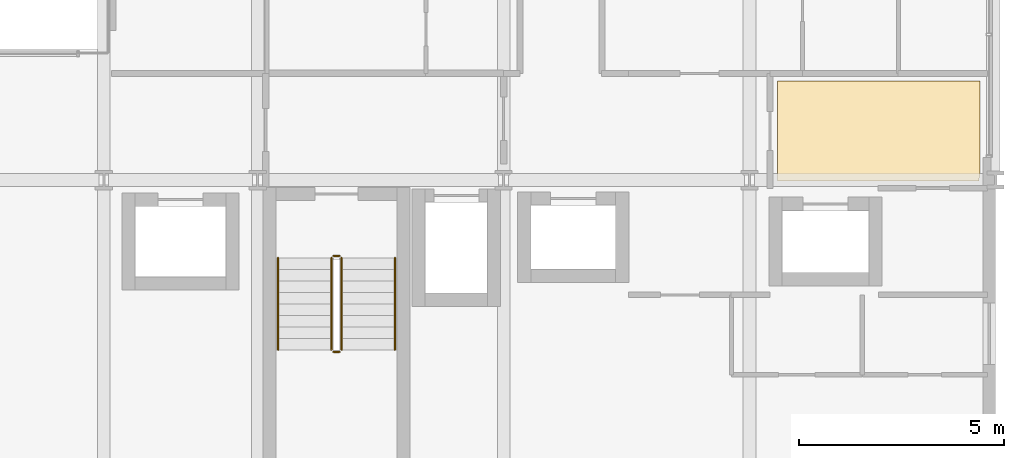
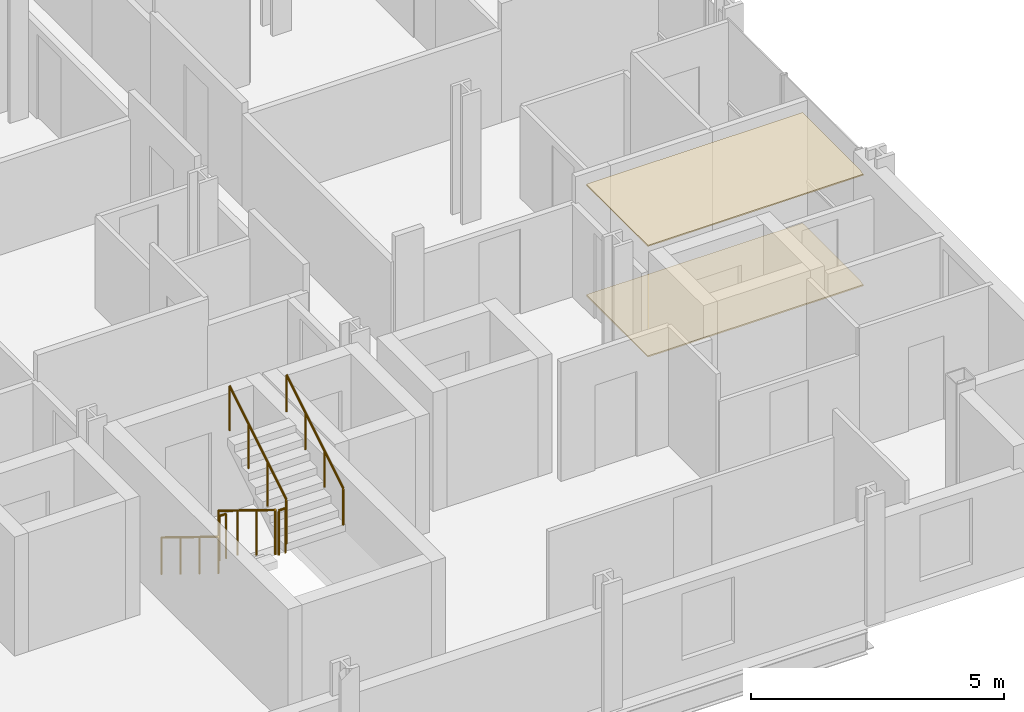
# One storey, part 40 of 41: 6 railings, 2 coverings.
"""IFC4 building model written with IfcOpenShell, lengths in metres."""

from ifc_helpers import new_model, si_unit, direction, frame, origin, origin_2d, place, context, subcontext, project, spatial, polyline, circle, outline, extrude, material, layer, layer_set, type_object, element, save


model = new_model("IFC4")

# Units and contexts
model_context = context("Model", 3, precision=1e-05, world=origin(), true_north=direction((0.0, 1.0)))
body_context = subcontext(model_context, "Body", "Model", "MODEL_VIEW")
ifc_project = project(units=[si_unit("LENGTHUNIT", "METRE"), si_unit("AREAUNIT", "SQUARE_METRE"), si_unit("VOLUMEUNIT", "CUBIC_METRE"), si_unit("PLANEANGLEUNIT", "RADIAN"), si_unit("MASSUNIT", "GRAM", prefix="KILO")], contexts=[model_context])

# Site, building, storey
site_placement = place(None, origin())
site = spatial("IfcSite", under=ifc_project, at=site_placement, CompositionType="ELEMENT")
building_placement = place(site_placement, origin())
building = spatial("IfcBuilding", under=site, at=building_placement, Name="Brevholm Reach", CompositionType="ELEMENT")
storey_placement = place(building_placement, frame((0.0, 0.0, 49.699951171875)))
storey = spatial("IfcBuildingStorey", under=building, at=storey_placement, Name="L13", CompositionType="ELEMENT", Elevation=49.699951171875)

# Coverings
ifc_material_1 = material(Name="Moisture-Resistant Skimmed Gypsum Plasterboard Ceiling", Category="gypsum")
ifc_layer_1 = layer(ifc_material_1, 0.030029296875)
ifc_layer_set_1 = layer_set([ifc_layer_1], Name="Moisture-Resistant Skimmed Gypsum Plasterboard Ceiling")
covering_type_1 = type_object("IfcCoveringType", Name="COV-CLG-GYP", PredefinedType="CEILING", material=ifc_layer_set_1)
covering_1_placement = place(storey_placement, frame((0.0, 0.0, 2.670166015625)))
element("IfcCovering", 1, at=covering_1_placement, inside=storey, type_object=covering_type_1, Name="L13 Suspended Ceiling L13-30", PredefinedType="CEILING", context=body_context, shape_type="SweptSolid", body=[
    extrude(outline(polyline([(59.6201171875, 12.419921875), (59.6201171875, 10.123779296875), (59.6171875, 10.1162109375), (59.607666015625, 10.077880859375), (59.601806640625, 10.039306640625), (59.60009765625, 10.0), (59.60107421875, 9.97998046875), (54.68408203125, 9.97998046875), (54.68408203125, 12.419921875), (59.6201171875, 12.419921875)])), origin(), (0.0, 0.0, 1.0), 0.02978515625),
])
ifc_material_2 = material(Name="Honed Portland-Aggregate Resin Terrazzo Flooring", Category="concrete")
ifc_layer_2 = layer(ifc_material_2, 0.031982421875)
ifc_layer_set_2 = layer_set([ifc_layer_2], Name="Honed Portland-Aggregate Resin Terrazzo Flooring")
covering_type_2 = type_object("IfcCoveringType", Name="COV-FLR-TRZ", PredefinedType="FLOORING", material=ifc_layer_set_2)
covering_2_placement = place(storey_placement, origin())
element("IfcCovering", 2, at=covering_2_placement, inside=storey, type_object=covering_type_2, Name="L13 Floor Finish L13-30", PredefinedType="FLOORING", context=body_context, shape_type="SweptSolid", body=[
    extrude(outline(polyline([(59.6201171875, 12.419921875), (59.6201171875, 10.123779296875), (59.6171875, 10.1162109375), (59.607666015625, 10.077880859375), (59.601806640625, 10.039306640625), (59.60009765625, 10.0), (59.60107421875, 9.97998046875), (54.68408203125, 9.97998046875), (54.68408203125, 12.419921875), (59.6201171875, 12.419921875)])), origin(), (0.0, 0.0, 1.0), 0.031982421875),
])

# Railings
ifc_material_3 = material(Name="Brushed Stainless Steel EN 1.4401 Continuous Handrail", Category="steel")
railing_type_1 = type_object("IfcRailingType", Name="RAL-HND-950", PredefinedType="HANDRAIL", material=ifc_material_3)
railing_1_placement = place(storey_placement, frame((42.5, 8.10009765625, 0.17236328125)))
element("IfcRailing", 3, at=railing_1_placement, inside=storey, type_object=railing_type_1, Name="L13 ST-2 stair handrail 1", PredefinedType="HANDRAIL", context=body_context, shape_type="SweptSolid", body=[
    extrude(circle(Radius=0.02392578125, at=origin_2d()), frame((0.0, 0.0, 0.8857421875), z_axis=(0.0, -0.85178898068, 0.523885037382), x_axis=(1.0, 0.0, 0.0)), (0.0, 0.0, 1.0), 2.629638671875),
    extrude(circle(Radius=0.02099609375, at=origin_2d()), origin(), (0.0, 0.0, 1.0), 0.86181640625),
    extrude(circle(Radius=0.02099609375, at=origin_2d()), frame((0.0, -0.74658203125, 0.459228515625)), (0.0, 0.0, 1.0), 0.86181640625),
    extrude(circle(Radius=0.02099609375, at=origin_2d()), frame((0.0, -1.493408203125, 0.91845703125)), (0.0, 0.0, 1.0), 0.86181640625),
    extrude(circle(Radius=0.02099609375, at=origin_2d()), frame((0.0, -2.239990234375, 1.377685546875)), (0.0, 0.0, 1.0), 0.86181640625),
])
railing_2_placement = place(storey_placement, frame((45.35009765625, 5.860107421875, 1.72216796875)))
element("IfcRailing", 4, at=railing_2_placement, inside=storey, type_object=railing_type_1, Name="L13 ST-2 stair handrail 2", PredefinedType="HANDRAIL", context=body_context, shape_type="SweptSolid", body=[
    extrude(circle(Radius=0.02392578125, at=origin_2d()), frame((0.0, 0.0, 0.8857421875), z_axis=(0.0, 0.851747552033, 0.523952390591), x_axis=(-1.0, 0.0, 0.0)), (0.0, 0.0, 1.0), 2.6298828125),
    extrude(circle(Radius=0.02099609375, at=origin_2d()), origin(), (0.0, 0.0, 1.0), 0.86181640625),
    extrude(circle(Radius=0.02099609375, at=origin_2d()), frame((0.0, 0.74658203125, 0.459228515625)), (0.0, 0.0, 1.0), 0.86181640625),
    extrude(circle(Radius=0.02099609375, at=origin_2d()), frame((0.0, 1.493408203125, 0.918701171875)), (0.0, 0.0, 1.0), 0.86181640625),
    extrude(circle(Radius=0.02099609375, at=origin_2d()), frame((0.0, 2.239990234375, 1.3779296875)), (0.0, 0.0, 1.0), 0.86181640625),
])
ifc_material_4 = material(Name="Painted Tubular Galvanised Steel S275JR Stair Guard", Category="steel")
railing_type_2 = type_object("IfcRailingType", Name="RAL-STG-1120", PredefinedType="BALUSTRADE", material=ifc_material_4)
railing_3_placement = place(storey_placement, frame((43.800048828125, 8.10009765625, 0.17236328125)))
element("IfcRailing", 5, at=railing_3_placement, inside=storey, type_object=railing_type_2, Name="L13 ST-2 stair guard 1", PredefinedType="BALUSTRADE", context=body_context, shape_type="SweptSolid", body=[
    extrude(circle(Radius=0.02392578125, at=origin_2d()), frame((0.0, 0.0, 1.076171875), z_axis=(0.0, -0.85178898068, 0.523885037382), x_axis=(1.0, 0.0, 0.0)), (0.0, 0.0, 1.0), 2.629638671875),
    extrude(circle(Radius=0.02099609375, at=origin_2d()), origin(), (0.0, 0.0, 1.0), 1.052001953125),
    extrude(circle(Radius=0.02099609375, at=origin_2d()), frame((0.0, -0.74658203125, 0.459228515625)), (0.0, 0.0, 1.0), 1.052001953125),
    extrude(circle(Radius=0.02099609375, at=origin_2d()), frame((0.0, -1.493408203125, 0.91845703125)), (0.0, 0.0, 1.0), 1.052001953125),
    extrude(circle(Radius=0.02099609375, at=origin_2d()), frame((0.0, -2.239990234375, 1.377685546875)), (0.0, 0.0, 1.0), 1.052001953125),
])
railing_4_placement = place(storey_placement, frame((43.85009765625, 5.81005859375, 1.550048828125)))
element("IfcRailing", 6, at=railing_4_placement, inside=storey, type_object=railing_type_2, Name="L13 ST-2 stair guard 2", PredefinedType="BALUSTRADE", context=body_context, shape_type="SweptSolid", body=[
    extrude(circle(Radius=0.02392578125, at=origin_2d()), frame((0.0, 0.0, 1.076171875), z_axis=(1.0, 0.0, 0.0), x_axis=(0.0, 1.0, 0.0)), (0.0, 0.0, 1.0), 0.14990234375),
    extrude(circle(Radius=0.02099609375, at=origin_2d()), origin(), (0.0, 0.0, 1.0), 1.052001953125),
    extrude(circle(Radius=0.02099609375, at=origin_2d()), frame((0.14990234375, 0.0, 0.0)), (0.0, 0.0, 1.0), 1.052001953125),
])
railing_5_placement = place(storey_placement, frame((44.050048828125, 5.860107421875, 1.72216796875)))
element("IfcRailing", 7, at=railing_5_placement, inside=storey, type_object=railing_type_2, Name="L13 ST-2 stair guard 3", PredefinedType="BALUSTRADE", context=body_context, shape_type="SweptSolid", body=[
    extrude(circle(Radius=0.02392578125, at=origin_2d()), frame((0.0, 0.0, 1.076171875), z_axis=(0.0, 0.851747552033, 0.523952390591), x_axis=(-1.0, 0.0, 0.0)), (0.0, 0.0, 1.0), 2.6298828125),
    extrude(circle(Radius=0.02099609375, at=origin_2d()), origin(), (0.0, 0.0, 1.0), 1.052001953125),
    extrude(circle(Radius=0.02099609375, at=origin_2d()), frame((0.0, 0.74658203125, 0.459228515625)), (0.0, 0.0, 1.0), 1.052001953125),
    extrude(circle(Radius=0.02099609375, at=origin_2d()), frame((0.0, 1.493408203125, 0.918701171875)), (0.0, 0.0, 1.0), 1.052001953125),
    extrude(circle(Radius=0.02099609375, at=origin_2d()), frame((0.0, 2.239990234375, 1.3779296875)), (0.0, 0.0, 1.0), 1.052001953125),
])
railing_6_placement = place(storey_placement, frame((43.85009765625, 8.14990234375, 0.0)))
element("IfcRailing", 8, at=railing_6_placement, inside=storey, type_object=railing_type_2, Name="L13 ST-2 stair guard 4", PredefinedType="BALUSTRADE", context=body_context, shape_type="SweptSolid", body=[
    extrude(circle(Radius=0.02392578125, at=origin_2d()), frame((0.0, 0.0, 1.076171875), z_axis=(1.0, 0.0, 0.0), x_axis=(0.0, 1.0, 0.0)), (0.0, 0.0, 1.0), 0.14990234375),
    extrude(circle(Radius=0.02099609375, at=origin_2d()), origin(), (0.0, 0.0, 1.0), 1.052001953125),
    extrude(circle(Radius=0.02099609375, at=origin_2d()), frame((0.14990234375, 0.0, 0.0)), (0.0, 0.0, 1.0), 1.052001953125),
])

save(model, "model.ifc")
